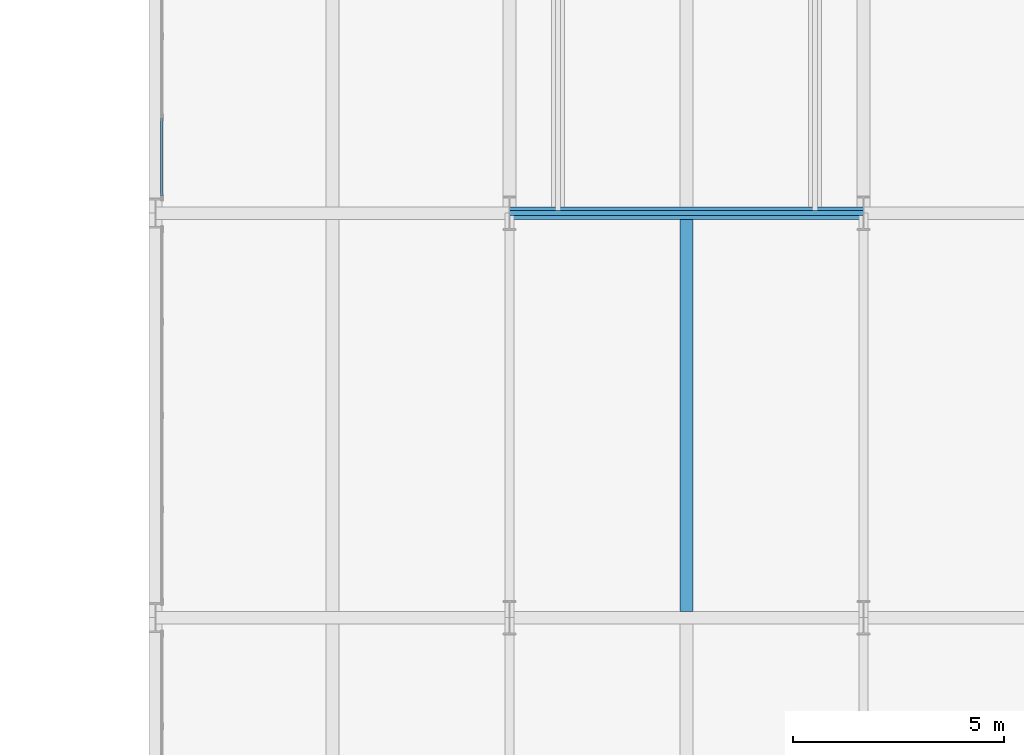
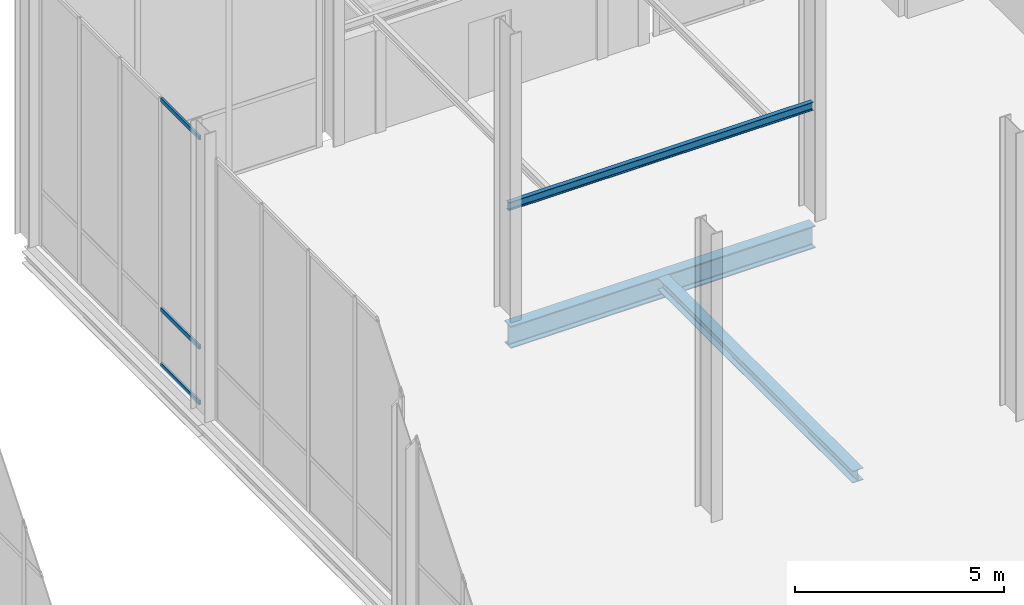
# One storey, part 68 of 131: 3 beams, 3 members, 1 element without a shape of its own.
"""IFC4 building model written with IfcOpenShell, lengths in metres."""

from ifc_helpers import new_model, si_unit, direction, frame, origin, origin_2d, place, context, subcontext, project, spatial, hollow_rectangle, i_section, extrude, material, material_profile, profile_set, type_object, element, aggregate, save


model = new_model("IFC4")

# Units and contexts
model_context = context("Model", 3, precision=1e-05, world=origin(), true_north=direction((0.0, 1.0)))
body_context = subcontext(model_context, "Body", "Model", "MODEL_VIEW")
ifc_project = project(units=[si_unit("LENGTHUNIT", "METRE"), si_unit("AREAUNIT", "SQUARE_METRE"), si_unit("VOLUMEUNIT", "CUBIC_METRE"), si_unit("PLANEANGLEUNIT", "RADIAN"), si_unit("MASSUNIT", "GRAM", prefix="KILO")], contexts=[model_context])

# Site, building, storey
site_placement = place(None, origin())
site = spatial("IfcSite", under=ifc_project, at=site_placement, CompositionType="ELEMENT")
building_placement = place(site_placement, origin())
building = spatial("IfcBuilding", under=site, at=building_placement, Name="Veltarok Museum of Natural Sciences", CompositionType="ELEMENT")
storey_placement = place(building_placement, origin())
storey = spatial("IfcBuildingStorey", under=building, at=storey_placement, Name="L00", CompositionType="ELEMENT", Elevation=0.0)

# Beam
ifc_material_1 = material(Name="Steel S355J2", Category="steel")
ifc_material_profile_1 = material_profile(ifc_material_1, i_section(OverallWidth=0.1201171875, OverallDepth=0.239990234375, WebThickness=0.006103515625, FlangeThickness=0.009765625, FilletRadius=0.014892578125, at=origin_2d()), Name="IPE 240")
ifc_profile_set_1 = profile_set([ifc_material_profile_1], Name="Steel S355J2")
beam_type_1 = type_object("IfcBeamType", Name="Cabinet Box Secondary Joist IPE 240", PredefinedType="JOIST", material=ifc_profile_set_1)
beam_1_placement = place(storey_placement, frame((65.199951171875, 100.800048828125, 3.1298828125), z_axis=(1.0, 0.0, 0.0), x_axis=(0.0, 1.0, 0.0)))
element("IfcBeam", 1, at=beam_1_placement, inside=storey, type_object=beam_type_1, Name="Cabinet Roof Tie Beam DB-34-I", PredefinedType="JOIST", context=body_context, shape_type="SweptSolid", body=[
    extrude(i_section(OverallWidth=0.1201171875, OverallDepth=0.239990234375, WebThickness=0.006103515625, FlangeThickness=0.009765625, FilletRadius=0.014892578125, at=origin_2d()), origin(), (0.0, 0.0, 1.0), 8.400146484375),
])

# Curtain wall, members
ifc_material_2 = material(Name="Low-iron triple insulated glass", Category="glass")
curtain_wall_type = type_object("IfcCurtainWallType", Name="Curtain Wall System CW-V2NPW-L00-0-770x778 (CW-V2NPW L00 770x778cm)", PredefinedType="NOTDEFINED", material=ifc_material_2)
curtain_wall_placement = place(storey_placement, origin())
curtain_wall = element("IfcCurtainWall", 2, at=curtain_wall_placement, inside=storey, type_object=curtain_wall_type, Name="Curtain Wall CW-V2NPW-L00-0-770x778 CW-0216", PredefinedType="NOTDEFINED")
ifc_material_3 = material(Name="Thermally broken anodised aluminium", Category="aluminium")
ifc_material_profile_2 = material_profile(ifc_material_3, hollow_rectangle(XDim=0.06005859375, YDim=0.1201171875, WallThickness=0.0048828125, at=origin_2d()), Name="CW TRANSOM 60x120x5")
ifc_profile_set_2 = profile_set([ifc_material_profile_2], Name="Thermally broken anodised aluminium")
member_type = type_object("IfcMemberType", Name="Curtain Wall Horizontal Transom 60x120x5", PredefinedType="USERDEFINED", material=ifc_profile_set_2)
member_1_placement = place(storey_placement, frame((56.949951171875, 101.2099609375, 0.028076171875), z_axis=(0.0, 1.0, 0.0), x_axis=(-1.0, 0.0, 0.0)))
member_1 = element("IfcMember", 3, at=member_1_placement, type_object=member_type, Name="CW-V2NPW-L00-0-770x778 transom 1.1", ObjectType="TRANSOM", PredefinedType="USERDEFINED", context=body_context, shape_type="SweptSolid", body=[
    extrude(hollow_rectangle(XDim=0.06005859375, YDim=0.1201171875, WallThickness=0.0048828125, at=origin_2d()), origin(), (0.0, 0.0, 1.0), 1.8349609375),
])
member_2_placement = place(storey_placement, frame((56.949951171875, 101.2099609375, 1.64794921875), z_axis=(0.0, 1.0, 0.0), x_axis=(-1.0, 0.0, 0.0)))
member_2 = element("IfcMember", 4, at=member_2_placement, type_object=member_type, Name="CW-V2NPW-L00-0-770x778 transom 1.2", ObjectType="TRANSOM", PredefinedType="USERDEFINED", context=body_context, shape_type="SweptSolid", body=[
    extrude(hollow_rectangle(XDim=0.06005859375, YDim=0.1201171875, WallThickness=0.0048828125, at=origin_2d()), origin(), (0.0, 0.0, 1.0), 1.8349609375),
])
member_3_placement = place(storey_placement, frame((56.949951171875, 101.2099609375, 7.75), z_axis=(0.0, 1.0, 0.0), x_axis=(-1.0, 0.0, 0.0)))
member_3 = element("IfcMember", 5, at=member_3_placement, type_object=member_type, Name="CW-V2NPW-L00-0-770x778 transom 1.3", ObjectType="TRANSOM", PredefinedType="USERDEFINED", context=body_context, shape_type="SweptSolid", body=[
    extrude(hollow_rectangle(XDim=0.06005859375, YDim=0.1201171875, WallThickness=0.0048828125, at=origin_2d()), origin(), (0.0, 0.0, 1.0), 1.8349609375),
])
aggregate(curtain_wall, [member_1, member_2, member_3])

# Beams
ifc_material_profile_3 = material_profile(ifc_material_1, i_section(OverallWidth=0.300048828125, OverallDepth=0.64990234375, WebThickness=0.01611328125, FlangeThickness=0.031005859375, FilletRadius=0.027099609375, at=origin_2d()), Name="HEB 650")
ifc_profile_set_3 = profile_set([ifc_material_profile_3], Name="Steel S355J2")
beam_type_2 = type_object("IfcBeamType", Name="Heavy Spine Girder HEB 650", PredefinedType="BEAM", material=ifc_profile_set_3)
beam_2_placement = place(storey_placement, frame((65.199951171875, 100.800048828125, -0.625), z_axis=(1.0, 0.0, 0.0), x_axis=(0.0, 1.0, 0.0)))
element("IfcBeam", 6, at=beam_2_placement, inside=storey, type_object=beam_type_2, Name="Beam BM-G11 L00 8-9/L", PredefinedType="BEAM", context=body_context, shape_type="SweptSolid", body=[
    extrude(i_section(OverallWidth=0.300048828125, OverallDepth=0.64990234375, WebThickness=0.01611328125, FlangeThickness=0.031005859375, FilletRadius=0.027099609375, at=origin_2d()), origin(), (0.0, 0.0, 1.0), 8.400146484375),
])
ifc_material_profile_4 = material_profile(ifc_material_1, i_section(OverallWidth=0.300048828125, OverallDepth=0.35009765625, WebThickness=0.010009765625, FlangeThickness=0.017578125, FilletRadius=0.027099609375, at=origin_2d()), Name="HEA 360")
ifc_profile_set_4 = profile_set([ifc_material_profile_4], Name="Steel S355J2")
beam_type_3 = type_object("IfcBeamType", Name="Long-Span Gallery Joist HEA 360", PredefinedType="JOIST", material=ifc_profile_set_4)
beam_3_placement = place(storey_placement, frame((69.39990234375, 91.347900390625, -0.47509765625), z_axis=(0.0, 1.0, 0.0), x_axis=(-1.0, 0.0, 0.0)))
element("IfcBeam", 7, at=beam_3_placement, inside=storey, type_object=beam_type_3, Name="Secondary Joist BM-J07 L00 8-9/K-L.1", PredefinedType="JOIST", context=body_context, shape_type="SweptSolid", body=[
    extrude(i_section(OverallWidth=0.300048828125, OverallDepth=0.35009765625, WebThickness=0.010009765625, FlangeThickness=0.017578125, FilletRadius=0.027099609375, at=origin_2d()), origin(), (0.0, 0.0, 1.0), 9.30419921875),
])

save(model, "model.ifc")
